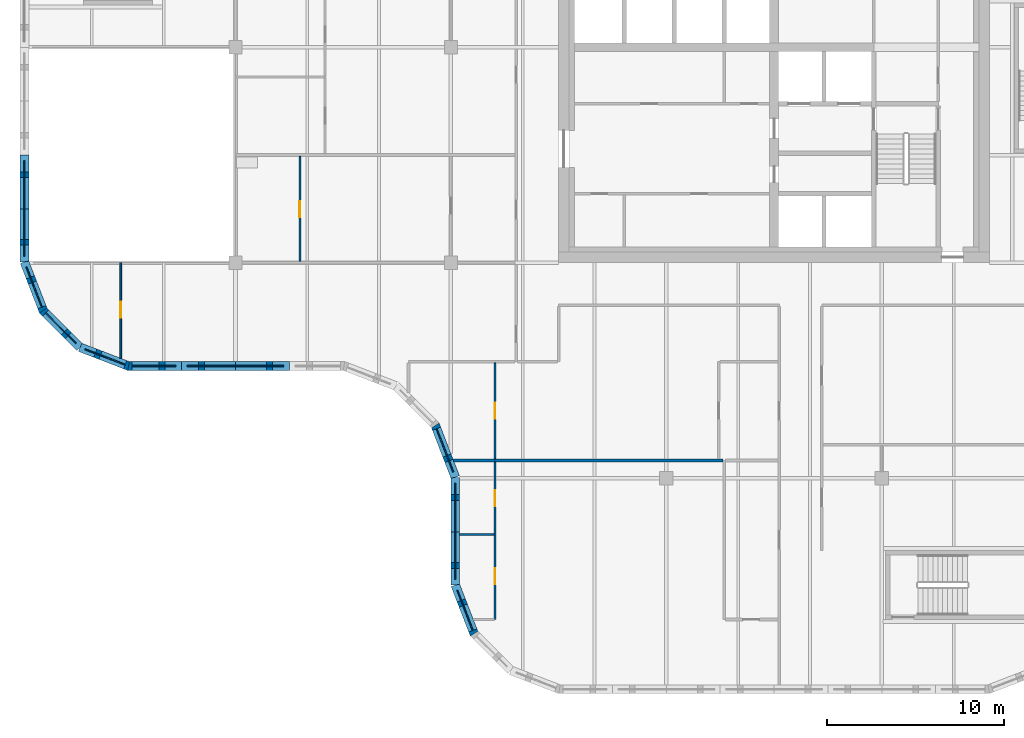
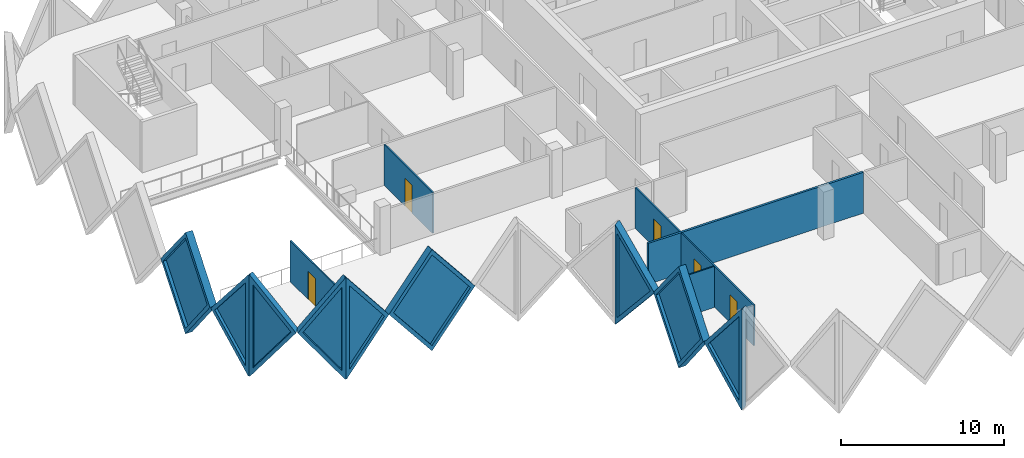
# One storey, part 3 of 12: 15 walls, 9 plates, 5 doors, 14 openings.
"""IFC4 building model written with IfcOpenShell, lengths in metres."""

import ifcopenshell
import ifcopenshell.guid

model = None  # the IFC model being written
_history = None  # IfcOwnerHistory: only IFC2X3 demands one
_inside = {}  # id of a spatial element -> (the spatial element, [elements in it])
_under = {}  # id of a project, library or spatial element -> (it, [spatial elements below it])
_declared = {}  # id of a project -> (the project, [libraries it declares])
_typed = {}  # id of a type object -> (the type object, [elements of that type])
_made_of = {}  # id of a material, layer set ... -> (it, [elements and type objects made of it])


def new_model(schema):
    """Start an empty IFC model of exactly this schema.

    Asked for "IFC4X3", IfcOpenShell would pick the latest addendum, in which some entities
    have other attributes; the version numbers below select the first issue.
    IFC2X3 requires an IfcOwnerHistory on every rooted entity: one is made here for all.
    """
    global model, _history
    if schema == "IFC4X3":
        model = ifcopenshell.file(schema_version=(4, 3, 0, 0))
    else:
        model = ifcopenshell.file(schema=schema)
    _inside.clear()
    _under.clear()
    _declared.clear()
    _typed.clear()
    _made_of.clear()
    _history = None
    if model.schema == "IFC2X3":
        org = make("IfcOrganization", Name="unknown")
        user = make(
            "IfcPersonAndOrganization",
            ThePerson=make("IfcPerson", FamilyName="unknown"),
            TheOrganization=org,
        )
        app = make(
            "IfcApplication",
            ApplicationDeveloper=org,
            Version="unknown",
            ApplicationFullName="unknown",
            ApplicationIdentifier="unknown",
        )
        _history = make(
            "IfcOwnerHistory",
            OwningUser=user,
            OwningApplication=app,
            ChangeAction="ADDED",
            CreationDate=0,
        )
    return model


def make(cls, **values):
    """One entity of the class cls with the attributes given. An attribute that is None is left unset."""
    return model.create_entity(
        cls, **{name: value for name, value in values.items() if value is not None}
    )


def rooted(cls, **values):
    """An entity with a GlobalId (a new one), such as an element, a storey or a relation."""
    return make(cls, GlobalId=ifcopenshell.guid.new(), OwnerHistory=_history, **values)


def si_unit(unit_type, name, prefix=None):
    """IfcSIUnit, for example si_unit("LENGTHUNIT", "METRE", prefix="MILLI")."""
    return make("IfcSIUnit", UnitType=unit_type, Prefix=prefix, Name=name)


def assignment(units):
    """IfcUnitAssignment: the units of a project."""
    return None if units is None else make("IfcUnitAssignment", Units=units)


def point(xyz):
    """IfcCartesianPoint."""
    return None if xyz is None else make("IfcCartesianPoint", Coordinates=xyz)


def direction(xyz):
    """IfcDirection."""
    return None if xyz is None else make("IfcDirection", DirectionRatios=xyz)


def frame(location, z_axis=None, x_axis=None):
    """IfcAxis2Placement3D, a coordinate frame: its origin and axes. An axis left out is left unset."""
    return make(
        "IfcAxis2Placement3D",
        Location=point(location),
        Axis=direction(z_axis),
        RefDirection=direction(x_axis),
    )


def frame_2d(location, x_axis=None):
    """IfcAxis2Placement2D, a coordinate frame in the plane: its origin and x axis."""
    return make(
        "IfcAxis2Placement2D", Location=point(location), RefDirection=direction(x_axis)
    )


def origin():
    """The frame at (0, 0, 0) with its axes left unset."""
    return frame((0.0, 0.0, 0.0))


def place(relative_to, where):
    """IfcLocalPlacement: puts the frame where relative to a parent placement (None: the world)."""
    return make(
        "IfcLocalPlacement", PlacementRelTo=relative_to, RelativePlacement=where
    )


def context(
    kind, dimensions, precision=None, world=None, true_north=None, identifier=None
):
    """IfcGeometricRepresentationContext, for example the 3D "Model" context."""
    return make(
        "IfcGeometricRepresentationContext",
        ContextIdentifier=identifier,
        ContextType=kind,
        CoordinateSpaceDimension=dimensions,
        Precision=precision,
        WorldCoordinateSystem=world,
        TrueNorth=true_north,
    )


def subcontext(parent, identifier, kind, view, scale=None):
    """IfcGeometricRepresentationSubContext, for example "Body" below "Model"."""
    return make(
        "IfcGeometricRepresentationSubContext",
        ContextIdentifier=identifier,
        ContextType=kind,
        ParentContext=parent,
        TargetScale=scale,
        TargetView=view,
    )


def project(units=None, contexts=None):
    """IfcProject with its units and contexts."""
    return rooted(
        "IfcProject",
        Name="project",
        RepresentationContexts=contexts,
        UnitsInContext=assignment(units),
    )


def spatial(cls, under=None, at=None, **own):
    """A site, building, storey or space (cls), placed at a placement, below another one or the project."""
    s = rooted(cls, ObjectPlacement=at, **own)
    if under is not None:
        _under.setdefault(under.id(), (under, []))[1].append(s)
    return s


def polyline(points):
    """IfcPolyline through the points."""
    return make("IfcPolyline", Points=[point(p) for p in points])


def profile(cls, at=None, kind="AREA", **sizes):
    """A parametric profile (cls). Its sizes go by their IFC names, for example OverallWidth=200.0."""
    return make(cls, ProfileType=kind, Position=at, **sizes)


def rectangle(**sizes):
    """IfcRectangleProfileDef."""
    return profile("IfcRectangleProfileDef", **sizes)


def outline(outer, holes=None, kind="AREA"):
    """IfcArbitraryClosedProfileDef: a profile drawn as a closed curve; with holes, ...WithVoids."""
    if holes is None:
        return make("IfcArbitraryClosedProfileDef", ProfileType=kind, OuterCurve=outer)
    return make(
        "IfcArbitraryProfileDefWithVoids",
        ProfileType=kind,
        OuterCurve=outer,
        InnerCurves=holes,
    )


def extrude(swept, where, along, depth):
    """IfcExtrudedAreaSolid: the profile swept, set in the frame where, extruded along a direction by depth."""
    return make(
        "IfcExtrudedAreaSolid",
        SweptArea=swept,
        Position=where,
        ExtrudedDirection=direction(along),
        Depth=depth,
    )


def faces_of(points, faces, orient=None, outer=None):
    """IfcFace entities. A face is a list of loops; a loop is a list of indices into points, from 0.

    orient and outer hold one flag for each loop. By default every Orientation is true, the
    first loop of a face is its IfcFaceOuterBound and the others are IfcFaceBound.
    """
    made = []
    for i, loops in enumerate(faces):
        bounds = []
        for j, loop in enumerate(loops):
            is_outer = j == 0 if outer is None else outer[i][j]
            bounds.append(
                make(
                    "IfcFaceOuterBound" if is_outer else "IfcFaceBound",
                    Bound=make("IfcPolyLoop", Polygon=[points[k] for k in loop]),
                    Orientation=True if orient is None else orient[i][j],
                )
            )
        made.append(make("IfcFace", Bounds=bounds))
    return made


def faceted_brep(points, faces, orient=None, outer=None, voids=None):
    """IfcFacetedBrep: a solid bounded by flat faces; with voids (closed shells), ...WithVoids."""
    shared = [point(p) for p in points]
    hull = make("IfcClosedShell", CfsFaces=faces_of(shared, faces, orient, outer))
    if voids is None:
        return make("IfcFacetedBrep", Outer=hull)
    return make(
        "IfcFacetedBrepWithVoids",
        Outer=hull,
        Voids=[
            make(cls, CfsFaces=faces_of(shared, fs, o, b)) for cls, fs, o, b in voids
        ],
    )


def shape(context_of_items, identifier, shape_type, items):
    """IfcShapeRepresentation: the items that make up one representation, for example the "Body"."""
    return make(
        "IfcShapeRepresentation",
        ContextOfItems=context_of_items,
        RepresentationIdentifier=identifier,
        RepresentationType=shape_type,
        Items=items,
    )


def source(mapping_origin, context_of_items, identifier, shape_type, items):
    """IfcRepresentationMap: a shape defined once, which mapped items show again and again."""
    return make(
        "IfcRepresentationMap",
        MappingOrigin=mapping_origin,
        MappedRepresentation=shape(context_of_items, identifier, shape_type, items),
    )


def transform(
    local_origin,
    x_axis=None,
    y_axis=None,
    z_axis=None,
    scale=None,
    scale2=None,
    scale3=None,
    uniform=True,
):
    """IfcCartesianTransformationOperator3D, or its non-uniform kind. x_axis, y_axis, z_axis: its Axis1, 2, 3."""
    if uniform:
        return make(
            "IfcCartesianTransformationOperator3D",
            Axis1=direction(x_axis),
            Axis2=direction(y_axis),
            LocalOrigin=point(local_origin),
            Scale=scale,
            Axis3=direction(z_axis),
        )
    return make(
        "IfcCartesianTransformationOperator3DnonUniform",
        Axis1=direction(x_axis),
        Axis2=direction(y_axis),
        LocalOrigin=point(local_origin),
        Scale=scale,
        Axis3=direction(z_axis),
        Scale2=scale2,
        Scale3=scale3,
    )


def mapped(mapping_source, mapping_target):
    """IfcMappedItem: shows the shape of a source again, moved by a transform."""
    return make(
        "IfcMappedItem", MappingSource=mapping_source, MappingTarget=mapping_target
    )


def material(Name=None, Category=None):
    """IfcMaterial."""
    return make("IfcMaterial", Name=Name, Category=Category)


def layer(
    of_material, thickness, ventilated=None, Name=None, Category=None, Priority=None
):
    """IfcMaterialLayer: one layer of a wall or slab, of a material (None: an air gap)."""
    return make(
        "IfcMaterialLayer",
        Material=of_material,
        LayerThickness=thickness,
        IsVentilated=ventilated,
        Name=Name,
        Category=Category,
        Priority=Priority,
    )


def layer_set(layers, Name=None):
    """IfcMaterialLayerSet."""
    return make("IfcMaterialLayerSet", MaterialLayers=layers, LayerSetName=Name)


def made_of(thing, what):
    """Note that an element or type object is made of a material, layer set ...; save() writes the relation."""
    if what is not None:
        _made_of.setdefault(what.id(), (what, []))[1].append(thing)
    return thing


def type_object(cls, material=None, **own):
    """A type object (cls), such as IfcWallType, which elements share."""
    return made_of(rooted(cls, **own), material)


def element(
    cls,
    number,
    at=None,
    inside=None,
    cuts=None,
    type_object=None,
    material=None,
    context=None,
    identifier="Body",
    shape_type=None,
    held_by="IfcProductDefinitionShape",
    body=None,
    shapes=None,
    **own,
):
    """One element of the class cls, such as IfcWall. Its Tag is "e" and its number.

    at: its placement. inside: the storey or other place that contains it. cuts: it is an
    opening in that element (IfcRelVoidsElement). A single representation is given by context,
    identifier, shape_type and body (its items); several are given by shapes. held_by: the class
    of the entity that holds the representations. save() writes the other relations.
    """
    e = rooted(cls, Tag="e%d" % number, ObjectPlacement=at, **own)
    if body is not None:
        shapes = [shape(context, identifier, shape_type, body)]
    if shapes is not None:
        e.Representation = make(held_by, Representations=shapes)
    if inside is not None:
        _inside.setdefault(inside.id(), (inside, []))[1].append(e)
    if cuts is not None:
        rooted(
            "IfcRelVoidsElement", RelatingBuildingElement=cuts, RelatedOpeningElement=e
        )
    if type_object is not None:
        _typed.setdefault(type_object.id(), (type_object, []))[1].append(e)
    return made_of(e, material)


def fill(opening, filler):
    """IfcRelFillsElement: the door or window that sits in an opening."""
    return rooted(
        "IfcRelFillsElement",
        RelatingOpeningElement=opening,
        RelatedBuildingElement=filler,
    )


def aggregate(whole, parts):
    """IfcRelAggregates: a whole, such as a stair, and the parts it consists of."""
    return rooted("IfcRelAggregates", RelatingObject=whole, RelatedObjects=parts)


def save(model, path):
    """Write the relations noted so far, then the file.

    IfcRelAggregates (storeys below a building ...), IfcRelContainedInSpatialStructure (elements
    in a storey), IfcRelDefinesByType, IfcRelAssociatesMaterial and IfcRelDeclares: one each for
    every whole, place, type object, material and project.
    """
    for whole, parts in _under.values():
        aggregate(whole, parts)
    for where, things in _inside.values():
        rooted(
            "IfcRelContainedInSpatialStructure",
            RelatedElements=things,
            RelatingStructure=where,
        )
    for kind, things in _typed.values():
        rooted("IfcRelDefinesByType", RelatedObjects=things, RelatingType=kind)
    for what, things in _made_of.values():
        rooted("IfcRelAssociatesMaterial", RelatedObjects=things, RelatingMaterial=what)
    for by, libraries in _declared.values():
        rooted("IfcRelDeclares", RelatingContext=by, RelatedDefinitions=libraries)
    model.write(path)


model = new_model("IFC4")

# Units and contexts
model_context = context("Model", 3, precision=1e-05, world=origin(), true_north=direction((0.0, 1.0)))
body_context = subcontext(model_context, "Body", "Model", "MODEL_VIEW")
ifc_project = project(units=[si_unit("LENGTHUNIT", "METRE"), si_unit("AREAUNIT", "SQUARE_METRE"), si_unit("VOLUMEUNIT", "CUBIC_METRE"), si_unit("PLANEANGLEUNIT", "RADIAN"), si_unit("MASSUNIT", "GRAM", prefix="KILO")], contexts=[model_context])

# Site, building, storey
site_placement = place(None, origin())
site = spatial("IfcSite", under=ifc_project, at=site_placement, CompositionType="ELEMENT")
building_placement = place(site_placement, origin())
building = spatial("IfcBuilding", under=site, at=building_placement, Name="Tessera Gate Towers", CompositionType="ELEMENT")
storey_placement = place(building_placement, frame((0.0, 0.0, 163.0)))
storey = spatial("IfcBuildingStorey", under=building, at=storey_placement, Name="L40", CompositionType="ELEMENT", Elevation=163.0)

# Wall, opening, door
ifc_material_1 = material(Name="Glass", Category="glass")
ifc_layer_1 = layer(ifc_material_1, 0.10009765625)
ifc_layer_set_1 = layer_set([ifc_layer_1], Name="GLAZED PARTITION 100")
wall_type_1 = type_object("IfcWallType", Name="GLAZED PARTITION 100", PredefinedType="PARTITIONING", material=ifc_layer_set_1)
wall_1_placement = place(storey_placement, frame((5.699951171875, 18.990234375, 0.0), z_axis=(0.0, 0.0, 1.0), x_axis=(0.0, 1.0, 0.0)))
wall_1 = element("IfcWall", 1, at=wall_1_placement, inside=storey, type_object=wall_type_1, Name="T1-L40-PW-021", PredefinedType="PARTITIONING", context=body_context, shape_type="SweptSolid", body=[
    extrude(rectangle(XDim=5.40966796875, YDim=0.10009765625, at=frame_2d((2.704833984375, 0.0))), origin(), (0.0, 0.0, 1.0), 3.06689453125),
])
shared_shape_1 = source(origin(), body_context, "Body", "SweptSolid", [
    extrude(rectangle(XDim=0.89990234375, YDim=2.10009765625, at=frame_2d((0.449951171875, 1.050048828125))), frame((0.0, 0.06005859375, 0.0), z_axis=(0.0, -1.0, 0.0), x_axis=(1.0, 0.0, 0.0)), (0.0, 0.0, 1.0), 0.1201171875),
])
opening_1_placement = place(wall_1_placement, frame((2.300048828125, 0.0, 0.0)))
opening_1 = element("IfcOpeningElement", 2, at=opening_1_placement, cuts=wall_1, Name="Opening D690-A14-01", PredefinedType="OPENING", context=body_context, shape_type="MappedRepresentation", body=[
    mapped(shared_shape_1, transform((0.0, 0.0, 0.0), scale=1.0)),
])
ifc_material_2 = material(Name="Glass in aluminium frame", Category="aluminium")
door_type_1 = type_object("IfcDoorType", Name="GLAZED DOOR 900 NOT RATED", OperationType="NOTDEFINED", PredefinedType="DOOR", material=ifc_material_2)
shared_shape_2 = source(origin(), body_context, "Body", "SweptSolid", [
    extrude(rectangle(XDim=0.89990234375, YDim=2.10009765625, at=frame_2d((0.449951171875, 1.050048828125))), frame((0.0, 0.02490234375, 0.0), z_axis=(0.0, -1.0, 0.0), x_axis=(1.0, 0.0, 0.0)), (0.0, 0.0, 1.0), 0.050048828125),
])
door_1_placement = place(opening_1_placement, origin())
door_1 = element("IfcDoor", 3, at=door_1_placement, inside=storey, type_object=door_type_1, Name="T1-L40-PD-006", OperationType="SINGLE_SWING_LEFT", OverallHeight=2.10009765625, OverallWidth=0.89990234375, PredefinedType="DOOR", context=body_context, shape_type="MappedRepresentation", body=[
    mapped(shared_shape_2, transform((0.0, 0.0, 0.0), scale=1.0)),
])
fill(opening_1, door_1)

# Wall, openings, doors
ifc_material_3 = material(Name="Gypsum board on steel studs", Category="steel")
ifc_layer_2 = layer(ifc_material_3, 0.10009765625)
ifc_layer_set_2 = layer_set([ifc_layer_2], Name="PARTITION 100")
wall_type_2 = type_object("IfcWallType", Name="PARTITION 100", PredefinedType="PARTITIONING", material=ifc_layer_set_2)
wall_2_placement = place(storey_placement, frame((26.89990234375, 4.199951171875, 0.0), z_axis=(0.0, 0.0, 1.0), x_axis=(0.0, 1.0, 0.0)))
wall_2 = element("IfcWall", 4, at=wall_2_placement, inside=storey, type_object=wall_type_2, Name="T1-L40-PW-004", PredefinedType="PARTITIONING", context=body_context, shape_type="SweptSolid", body=[
    extrude(rectangle(XDim=8.924072265625, YDim=0.10009765625, at=frame_2d((4.4619140625, 0.0))), origin(), (0.0, 0.0, 1.0), 3.06689453125),
])
opening_2_placement = place(wall_2_placement, frame((6.416015625, 0.0, 0.0)))
opening_2 = element("IfcOpeningElement", 5, at=opening_2_placement, cuts=wall_2, Name="Opening D190-A14-01", PredefinedType="OPENING", context=body_context, shape_type="MappedRepresentation", body=[
    mapped(shared_shape_1, transform((0.0, 0.0, 0.0), scale=1.0)),
])
opening_3_placement = place(wall_2_placement, frame((2.0, 0.0, 0.0)))
opening_3 = element("IfcOpeningElement", 6, at=opening_3_placement, cuts=wall_2, Name="Opening D190-A14-09", PredefinedType="OPENING", context=body_context, shape_type="MappedRepresentation", body=[
    mapped(shared_shape_1, transform((0.0, 0.0, 0.0), scale=1.0)),
])
ifc_material_4 = material(Name="Timber door leaf in steel frame", Category="steel")
door_type_2 = type_object("IfcDoorType", Name="INTERNAL DOOR 900 NOT RATED", OperationType="NOTDEFINED", PredefinedType="DOOR", material=ifc_material_4)
door_2_placement = place(opening_2_placement, origin())
door_2 = element("IfcDoor", 7, at=door_2_placement, inside=storey, type_object=door_type_2, Name="T1-L40-PD-002", OperationType="SINGLE_SWING_LEFT", OverallHeight=2.10009765625, OverallWidth=0.89990234375, PredefinedType="DOOR", context=body_context, shape_type="MappedRepresentation", body=[
    mapped(shared_shape_2, transform((0.0, 0.0, 0.0), scale=1.0)),
])
fill(opening_2, door_2)
door_3_placement = place(opening_3_placement, origin())
door_3 = element("IfcDoor", 8, at=door_3_placement, inside=storey, type_object=door_type_2, Name="T1-L40-PD-014", OperationType="SINGLE_SWING_LEFT", OverallHeight=2.10009765625, OverallWidth=0.89990234375, PredefinedType="DOOR", context=body_context, shape_type="MappedRepresentation", body=[
    mapped(shared_shape_2, transform((0.0, 0.0, 0.0), scale=1.0)),
])
fill(opening_3, door_3)

# Wall
wall_3_placement = place(storey_placement, frame((24.89990234375, 9.014892578125, 0.0), z_axis=(0.0, 0.0, 1.0), x_axis=(1.0, 0.0, 0.0)))
element("IfcWall", 9, at=wall_3_placement, inside=storey, type_object=wall_type_2, Name="T1-L40-PW-008", PredefinedType="PARTITIONING", context=body_context, shape_type="SweptSolid", body=[
    extrude(rectangle(XDim=1.94921875, YDim=0.10009765625, at=frame_2d((0.974609375, 0.0))), origin(), (0.0, 0.0, 1.0), 3.06689453125),
])

# Wall, opening, door
wall_4_placement = place(storey_placement, frame((26.89990234375, 13.27587890625, 0.0), z_axis=(0.0, 0.0, 1.0), x_axis=(0.0, 1.0, 0.0)))
wall_4 = element("IfcWall", 10, at=wall_4_placement, inside=storey, type_object=wall_type_2, Name="T1-L40-PW-012", PredefinedType="PARTITIONING", context=body_context, shape_type="SweptSolid", body=[
    extrude(rectangle(XDim=5.4482421875, YDim=0.10009765625, at=frame_2d((2.72412109375, 0.0))), origin(), (0.0, 0.0, 1.0), 3.06689453125),
])
opening_4_placement = place(wall_4_placement, frame((2.300048828125, 0.0, 0.0)))
opening_4 = element("IfcOpeningElement", 11, at=opening_4_placement, cuts=wall_4, Name="Opening D190-A14-04", PredefinedType="OPENING", context=body_context, shape_type="MappedRepresentation", body=[
    mapped(shared_shape_1, transform((0.0, 0.0, 0.0), scale=1.0)),
])
door_4_placement = place(opening_4_placement, origin())
door_4 = element("IfcDoor", 12, at=door_4_placement, inside=storey, type_object=door_type_2, Name="T1-L40-PD-007", OperationType="SINGLE_SWING_LEFT", OverallHeight=2.10009765625, OverallWidth=0.89990234375, PredefinedType="DOOR", context=body_context, shape_type="MappedRepresentation", body=[
    mapped(shared_shape_2, transform((0.0, 0.0, 0.0), scale=1.0)),
])
fill(opening_4, door_4)

wall_5_placement = place(storey_placement, frame((15.85009765625, 24.47607421875, 0.0), z_axis=(0.0, 0.0, 1.0), x_axis=(0.0, 1.0, 0.0)))
wall_5 = element("IfcWall", 13, at=wall_5_placement, inside=storey, type_object=wall_type_2, Name="T1-L40-PW-028", PredefinedType="PARTITIONING", context=body_context, shape_type="SweptSolid", body=[
    extrude(rectangle(XDim=5.947998046875, YDim=0.10009765625, at=frame_2d((2.97412109375, 0.0))), origin(), (0.0, 0.0, 1.0), 3.06689453125),
])
opening_5_placement = place(wall_5_placement, frame((2.5, 0.0, 0.0)))
opening_5 = element("IfcOpeningElement", 14, at=opening_5_placement, cuts=wall_5, Name="Opening D190-A14-08", PredefinedType="OPENING", context=body_context, shape_type="MappedRepresentation", body=[
    mapped(shared_shape_1, transform((0.0, 0.0, 0.0), scale=1.0)),
])
door_5_placement = place(opening_5_placement, origin())
door_5 = element("IfcDoor", 15, at=door_5_placement, inside=storey, type_object=door_type_2, Name="T1-L40-PD-013", OperationType="SINGLE_SWING_LEFT", OverallHeight=2.10009765625, OverallWidth=0.89990234375, PredefinedType="DOOR", context=body_context, shape_type="MappedRepresentation", body=[
    mapped(shared_shape_2, transform((0.0, 0.0, 0.0), scale=1.0)),
])
fill(opening_5, door_5)

# Wall
ifc_material_5 = material(Name="Gypsum board on steel studs, mineral wool", Category="steel")
ifc_layer_3 = layer(ifc_material_5, 0.14990234375)
ifc_layer_set_3 = layer_set([ifc_layer_3], Name="TENANCY WALL 150")
wall_type_3 = type_object("IfcWallType", Name="TENANCY WALL 150", PredefinedType="PARTITIONING", material=ifc_layer_set_3)
wall_6_placement = place(storey_placement, frame((24.55029296875, 13.199951171875, 0.0), z_axis=(0.0, 0.0, 1.0), x_axis=(1.0, 0.0, 0.0)))
element("IfcWall", 16, at=wall_6_placement, inside=storey, type_object=wall_type_3, Name="T1-L40-PW-010", PredefinedType="PARTITIONING", context=body_context, shape_type="SweptSolid", body=[
    extrude(rectangle(XDim=15.248779296875, YDim=0.14990234375, at=frame_2d((7.62451171875, 0.0))), origin(), (0.0, 0.0, 1.0), 3.06689453125),
])

# Wall, opening, plate
ifc_material_6 = material(Name="Precast concrete C60/75 white", Category="concrete")
ifc_layer_4 = layer(ifc_material_6, 0.5)
ifc_layer_set_4 = layer_set([ifc_layer_4], Name="TS1 tessera")
wall_type_4 = type_object("IfcWallType", Name="TS1 tessera", PredefinedType="SOLIDWALL", material=ifc_layer_set_4)
shared_shape_3 = source(origin(), body_context, "Body", "SweptSolid", [
    extrude(outline(polyline([(3.050048828125, 0.0), (6.10009765625, 3.800048828125), (3.050048828125, 7.60009765625), (0.0, 3.800048828125), (3.050048828125, 0.0)])), frame((0.0, 0.25, 0.0), z_axis=(0.0, -1.0, 0.0), x_axis=(1.0, 0.0, 0.0)), (0.0, 0.0, 1.0), 0.5),
])
wall_7_placement = place(storey_placement, frame((9.14990234375, 18.550048828125, -3.800048828125), z_axis=(0.0, 0.0, 1.0), x_axis=(1.0, 0.0, 0.0)))
wall_7 = element("IfcWall", 17, at=wall_7_placement, inside=storey, type_object=wall_type_4, Name="Precast tessera T1 TS1-0688", PredefinedType="SOLIDWALL", context=body_context, shape_type="MappedRepresentation", body=[
    mapped(shared_shape_3, transform((0.0, 0.0, 0.0), scale=1.0)),
])
shared_shape_4 = source(origin(), body_context, "Body", "SweptSolid", [
    extrude(outline(polyline([(3.050048828125, 0.3994140625), (5.779541015625, 3.800048828125), (3.050048828125, 7.20068359375), (0.320556640625, 3.800048828125), (3.050048828125, 0.3994140625)])), frame((0.0, 0.260009765625, 0.0), z_axis=(0.0, -1.0, 0.0), x_axis=(1.0, 0.0, 0.0)), (0.0, 0.0, 1.0), 0.52001953125),
])
opening_6_placement = place(wall_7_placement, origin())
opening_6 = element("IfcOpeningElement", 18, at=opening_6_placement, cuts=wall_7, Name="Opening T1-PL2-1402", PredefinedType="OPENING", context=body_context, shape_type="MappedRepresentation", body=[
    mapped(shared_shape_4, transform((0.0, 0.0, 0.0), scale=1.0)),
])
ifc_material_7 = material(Name="Low-e laminated glass", Category="glass")
ifc_layer_5 = layer(ifc_material_7, 0.06005859375)
ifc_layer_set_5 = layer_set([ifc_layer_5], Name="PL2 rhombic pane")
plate_type = type_object("IfcPlateType", Name="PL2 rhombic pane", PredefinedType="SHEET", material=ifc_layer_set_5)
shared_shape_5 = source(origin(), body_context, "Body", "SweptSolid", [
    extrude(outline(polyline([(3.050048828125, 0.3994140625), (5.779541015625, 3.800048828125), (3.050048828125, 7.20068359375), (0.320556640625, 3.800048828125), (3.050048828125, 0.3994140625)])), frame((0.0, 0.030029296875, 0.0), z_axis=(0.0, -1.0, 0.0), x_axis=(1.0, 0.0, 0.0)), (0.0, 0.0, 1.0), 0.06005859375),
])
plate_1_placement = place(opening_6_placement, origin())
plate_1 = element("IfcPlate", 19, at=plate_1_placement, inside=storey, type_object=plate_type, Name="Glass pane T1 PL2-1402", PredefinedType="SHEET", context=body_context, shape_type="MappedRepresentation", body=[
    mapped(shared_shape_5, transform((0.0, 0.0, 0.0), scale=1.0)),
])
fill(opening_6, plate_1)

shared_shape_6 = source(origin(), body_context, "Body", "Brep", [
    faceted_brep([(3.050048828125, -0.25, 0.0), (6.053466796875, -0.25, 3.800048828125), (3.050048828125, -0.25, 7.60009765625), (0.0, -0.25, 3.800048828125), (0.0, 0.25, 3.800048828125), (3.050048828125, 0.25, 7.60009765625), (6.0068359375, 0.25, 3.85888671875), (6.0068359375, 0.25, 3.7412109375), (3.050048828125, 0.25, 0.0), (6.053466796875, 0.0, 3.800048828125)], [[[0, 1, 2, 3]], [[4, 5, 6, 7, 8]], [[8, 7, 9, 1, 0]], [[6, 5, 2, 1, 9]], [[5, 4, 3, 2]], [[4, 8, 0, 3]], [[9, 7, 6]]]),
])
wall_8_placement = place(storey_placement, frame((0.25, 30.5, -3.800048828125), z_axis=(0.0, 0.0, 1.0), x_axis=(0.0, -1.0, 0.0)))
wall_8 = element("IfcWall", 20, at=wall_8_placement, inside=storey, type_object=wall_type_4, Name="Precast tessera T1 TS1-0687", PredefinedType="SOLIDWALL", context=body_context, shape_type="MappedRepresentation", body=[
    mapped(shared_shape_6, transform((0.0, 0.0, 0.0), scale=1.0)),
])
shared_shape_7 = source(origin(), body_context, "Body", "SweptSolid", [
    extrude(outline(polyline([(3.048583984375, 0.4013671875), (5.73486328125, 3.800048828125), (3.048583984375, 7.19873046875), (0.320556640625, 3.800048828125), (3.048583984375, 0.4013671875)])), frame((0.0, 0.260009765625, 0.0), z_axis=(0.0, -1.0, 0.0), x_axis=(1.0, 0.0, 0.0)), (0.0, 0.0, 1.0), 0.52001953125),
])
opening_7_placement = place(wall_8_placement, origin())
opening_7 = element("IfcOpeningElement", 21, at=opening_7_placement, cuts=wall_8, Name="Opening T1-PL2-1397", PredefinedType="OPENING", context=body_context, shape_type="MappedRepresentation", body=[
    mapped(shared_shape_7, transform((0.0, 0.0, 0.0), scale=1.0)),
])
shared_shape_8 = source(origin(), body_context, "Body", "SweptSolid", [
    extrude(outline(polyline([(3.048583984375, 0.4013671875), (5.73486328125, 3.800048828125), (3.048583984375, 7.19873046875), (0.320556640625, 3.800048828125), (3.048583984375, 0.4013671875)])), frame((0.0, 0.030029296875, 0.0), z_axis=(0.0, -1.0, 0.0), x_axis=(1.0, 0.0, 0.0)), (0.0, 0.0, 1.0), 0.06005859375),
])
plate_2_placement = place(opening_7_placement, origin())
plate_2 = element("IfcPlate", 22, at=plate_2_placement, inside=storey, type_object=plate_type, Name="Glass pane T1 PL2-1397", PredefinedType="SHEET", context=body_context, shape_type="MappedRepresentation", body=[
    mapped(shared_shape_8, transform((0.0, 0.0, 0.0), scale=1.0)),
])
fill(opening_7, plate_2)

ifc_material_8 = material(Name="Precast concrete C60/75 white", Category="concrete")
ifc_layer_6 = layer(ifc_material_8, 0.5)
ifc_layer_set_6 = layer_set([ifc_layer_6], Name="TS3 corner tessera")
wall_type_5 = type_object("IfcWallType", Name="TS3 corner tessera", PredefinedType="SOLIDWALL", material=ifc_layer_set_6)
shared_shape_9 = source(origin(), body_context, "Body", "Brep", [
    faceted_brep([(2.950439453125, -0.25, 0.0), (3.00341796875, -0.25, 0.068359375), (3.00341796875, -0.25, 7.53173828125), (2.950439453125, -0.25, 7.60009765625), (0.0, -0.25, 3.800048828125), (0.046630859375, 0.25, 3.860107421875), (2.897705078125, 0.25, 7.531982421875), (2.897705078125, 0.25, 0.068115234375), (0.046630859375, 0.25, 3.739990234375), (2.950439453125, 0.00048828125, 0.0), (2.950439453125, 0.00048828125, 7.60009765625), (0.0, 0.0, 3.800048828125)], [[[0, 1, 2, 3, 4]], [[5, 6, 7, 8]], [[1, 0, 9]], [[10, 3, 2]], [[6, 5, 11, 4, 3, 10]], [[8, 7, 9, 0, 4, 11]], [[8, 11, 5]], [[1, 9, 7, 6, 10, 2]]]),
])
wall_9_placement = place(storey_placement, frame((24.64990234375, 6.146484375, -3.800048828125), z_axis=(0.0, 0.0, 1.0), x_axis=(0.359953949349, -0.932970071518, 0.0)))
wall_9 = element("IfcWall", 23, at=wall_9_placement, inside=storey, type_object=wall_type_5, Name="Precast corner tessera T1 TS3-0935", PredefinedType="SOLIDWALL", context=body_context, shape_type="MappedRepresentation", body=[
    mapped(shared_shape_9, transform((0.0, 0.0, 0.0), scale=1.0)),
])
shared_shape_10 = source(origin(), body_context, "Body", "SweptSolid", [
    extrude(outline(polyline([(2.75048828125, 6.934814453125), (0.31640625, 3.800048828125), (2.75048828125, 0.665283203125), (2.75048828125, 6.934814453125)])), frame((0.0, 0.260009765625, 0.0), z_axis=(0.0, -1.0, 0.0), x_axis=(1.0, 0.0, 0.0)), (0.0, 0.0, 1.0), 0.52001953125),
])
opening_8_placement = place(wall_9_placement, origin())
opening_8 = element("IfcOpeningElement", 24, at=opening_8_placement, cuts=wall_9, Name="Opening T1-PL2-1408", PredefinedType="OPENING", context=body_context, shape_type="MappedRepresentation", body=[
    mapped(shared_shape_10, transform((0.0, 0.0, 0.0), scale=1.0)),
])
shared_shape_11 = source(origin(), body_context, "Body", "SweptSolid", [
    extrude(outline(polyline([(2.75048828125, 6.934814453125), (0.31640625, 3.800048828125), (2.75048828125, 0.665283203125), (2.75048828125, 6.934814453125)])), frame((0.0, 0.030029296875, 0.0), z_axis=(0.0, -1.0, 0.0), x_axis=(1.0, 0.0, 0.0)), (0.0, 0.0, 1.0), 0.06005859375),
])
plate_3_placement = place(opening_8_placement, origin())
plate_3 = element("IfcPlate", 25, at=plate_3_placement, inside=storey, type_object=plate_type, Name="Glass pane T1 PL2-1408", PredefinedType="SHEET", context=body_context, shape_type="MappedRepresentation", body=[
    mapped(shared_shape_11, transform((0.0, 0.0, 0.0), scale=1.0)),
])
fill(opening_8, plate_3)

shared_shape_12 = source(origin(), body_context, "Body", "Brep", [
    faceted_brep([(0.052978515625, -0.25, 0.0), (2.9970703125, -0.25, 3.800048828125), (0.052978515625, -0.25, 7.60009765625), (0.0, -0.25, 7.531982421875), (0.0, -0.25, 0.068115234375), (0.10595703125, 0.25, 7.53173828125), (2.944091796875, 0.25, 3.8681640625), (2.944091796875, 0.25, 3.73193359375), (0.10595703125, 0.25, 0.068359375), (2.9970703125, 0.000244140625, 3.800048828125), (0.052978515625, 0.0, 0.0), (0.052978515625, 0.0, 7.60009765625)], [[[0, 1, 2, 3, 4]], [[5, 6, 7, 8]], [[8, 7, 9, 1, 0, 10]], [[6, 5, 11, 2, 1, 9]], [[3, 2, 11]], [[10, 0, 4]], [[8, 10, 4, 3, 11, 5]], [[9, 7, 6]]]),
])
wall_10_placement = place(storey_placement, frame((1.2744140625, 21.731201171875, -3.800048828125), z_axis=(0.0, 0.0, 1.0), x_axis=(0.707147509625, -0.707066050402, 0.0)))
wall_10 = element("IfcWall", 26, at=wall_10_placement, inside=storey, type_object=wall_type_5, Name="Precast corner tessera T1 TS3-0928", PredefinedType="SOLIDWALL", context=body_context, shape_type="MappedRepresentation", body=[
    mapped(shared_shape_12, transform((0.0, 0.0, 0.0), scale=1.0)),
])
shared_shape_13 = source(origin(), body_context, "Body", "SweptSolid", [
    extrude(outline(polyline([(0.2529296875, 0.666259765625), (2.680908203125, 3.800048828125), (0.2529296875, 6.933837890625), (0.2529296875, 0.666259765625)])), frame((0.0, 0.260009765625, 0.0), z_axis=(0.0, -1.0, 0.0), x_axis=(1.0, 0.0, 0.0)), (0.0, 0.0, 1.0), 0.52001953125),
])
opening_9_placement = place(wall_10_placement, origin())
opening_9 = element("IfcOpeningElement", 27, at=opening_9_placement, cuts=wall_10, Name="Opening T1-PL2-1399", PredefinedType="OPENING", context=body_context, shape_type="MappedRepresentation", body=[
    mapped(shared_shape_13, transform((0.0, 0.0, 0.0), scale=1.0)),
])
shared_shape_14 = source(origin(), body_context, "Body", "SweptSolid", [
    extrude(outline(polyline([(0.2529296875, 0.666259765625), (2.680908203125, 3.800048828125), (0.2529296875, 6.933837890625), (0.2529296875, 0.666259765625)])), frame((0.0, 0.030029296875, 0.0), z_axis=(0.0, -1.0, 0.0), x_axis=(1.0, 0.0, 0.0)), (0.0, 0.0, 1.0), 0.06005859375),
])
plate_4_placement = place(opening_9_placement, origin())
plate_4 = element("IfcPlate", 28, at=plate_4_placement, inside=storey, type_object=plate_type, Name="Glass pane T1 PL2-1399", PredefinedType="SHEET", context=body_context, shape_type="MappedRepresentation", body=[
    mapped(shared_shape_14, transform((0.0, 0.0, 0.0), scale=1.0)),
])
fill(opening_9, plate_4)

shared_shape_15 = source(origin(), body_context, "Body", "Brep", [
    faceted_brep([(2.950439453125, -0.25, 0.0), (2.9970703125, -0.25, 0.05908203125), (2.9970703125, -0.25, 7.541015625), (2.950439453125, -0.25, 7.60009765625), (0.0, -0.25, 3.800048828125), (0.052978515625, 0.25, 3.8681640625), (2.904052734375, 0.25, 7.540283203125), (2.904052734375, 0.25, 0.059814453125), (0.052978515625, 0.25, 3.73193359375), (2.950439453125, 0.00048828125, 0.0), (2.950439453125, 0.00048828125, 7.60009765625), (0.0, 0.0, 3.800048828125)], [[[0, 1, 2, 3, 4]], [[5, 6, 7, 8]], [[1, 0, 9]], [[10, 3, 2]], [[6, 5, 11, 4, 3, 10]], [[8, 7, 9, 0, 4, 11]], [[8, 11, 5]], [[1, 9, 7, 6, 10, 2]]]),
])
wall_11_placement = place(storey_placement, frame((3.393798828125, 19.61181640625, -3.800048828125), z_axis=(0.0, 0.0, 1.0), x_axis=(0.932990326376, -0.359901446078, 0.0)))
wall_11 = element("IfcWall", 29, at=wall_11_placement, inside=storey, type_object=wall_type_5, Name="Precast corner tessera T1 TS3-0929", PredefinedType="SOLIDWALL", context=body_context, shape_type="MappedRepresentation", body=[
    mapped(shared_shape_15, transform((0.0, 0.0, 0.0), scale=1.0)),
])
opening_10_placement = place(wall_11_placement, origin())
opening_10 = element("IfcOpeningElement", 30, at=opening_10_placement, cuts=wall_11, Name="Opening T1-PL2-1400", PredefinedType="OPENING", context=body_context, shape_type="MappedRepresentation", body=[
    mapped(shared_shape_10, transform((0.0, 0.0, 0.0), scale=1.0)),
])
plate_5_placement = place(opening_10_placement, origin())
plate_5 = element("IfcPlate", 31, at=plate_5_placement, inside=storey, type_object=plate_type, Name="Glass pane T1 PL2-1400", PredefinedType="SHEET", context=body_context, shape_type="MappedRepresentation", body=[
    mapped(shared_shape_11, transform((0.0, 0.0, 0.0), scale=1.0)),
])
fill(opening_10, plate_5)

shared_shape_16 = source(origin(), body_context, "Body", "Brep", [
    faceted_brep([(0.046630859375, -0.25, 0.0), (3.050048828125, -0.25, 3.800048828125), (0.046630859375, -0.25, 7.60009765625), (0.0, -0.25, 7.5400390625), (0.0, -0.25, 0.06005859375), (0.09326171875, 0.25, 7.541259765625), (3.050048828125, 0.25, 3.800048828125), (0.09326171875, 0.25, 0.058837890625), (0.046630859375, 0.0, 0.0), (0.046630859375, 0.0, 7.60009765625)], [[[0, 1, 2, 3, 4]], [[5, 6, 7]], [[7, 6, 1, 0, 8]], [[6, 5, 9, 2, 1]], [[3, 2, 9]], [[8, 0, 4]], [[7, 8, 4, 3, 9, 5]]]),
])
wall_12_placement = place(storey_placement, frame((6.099853515625, 18.550048828125, -3.800048828125), z_axis=(0.0, 0.0, 1.0), x_axis=(1.0, 0.0, 0.0)))
wall_12 = element("IfcWall", 32, at=wall_12_placement, inside=storey, type_object=wall_type_5, Name="Precast corner tessera T1 TS3-0930", PredefinedType="SOLIDWALL", context=body_context, shape_type="MappedRepresentation", body=[
    mapped(shared_shape_16, transform((0.0, 0.0, 0.0), scale=1.0)),
])
shared_shape_17 = source(origin(), body_context, "Body", "SweptSolid", [
    extrude(outline(polyline([(0.24658203125, 0.65625), (2.7314453125, 3.800048828125), (0.24658203125, 6.94384765625), (0.24658203125, 0.65625)])), frame((0.0, 0.260009765625, 0.0), z_axis=(0.0, -1.0, 0.0), x_axis=(1.0, 0.0, 0.0)), (0.0, 0.0, 1.0), 0.52001953125),
])
opening_11_placement = place(wall_12_placement, origin())
opening_11 = element("IfcOpeningElement", 33, at=opening_11_placement, cuts=wall_12, Name="Opening T1-PL2-1401", PredefinedType="OPENING", context=body_context, shape_type="MappedRepresentation", body=[
    mapped(shared_shape_17, transform((0.0, 0.0, 0.0), scale=1.0)),
])
shared_shape_18 = source(origin(), body_context, "Body", "SweptSolid", [
    extrude(outline(polyline([(0.24658203125, 0.65625), (2.7314453125, 3.800048828125), (0.24658203125, 6.94384765625), (0.24658203125, 0.65625)])), frame((0.0, 0.030029296875, 0.0), z_axis=(0.0, -1.0, 0.0), x_axis=(1.0, 0.0, 0.0)), (0.0, 0.0, 1.0), 0.06005859375),
])
plate_6_placement = place(opening_11_placement, origin())
plate_6 = element("IfcPlate", 34, at=plate_6_placement, inside=storey, type_object=plate_type, Name="Glass pane T1 PL2-1401", PredefinedType="SHEET", context=body_context, shape_type="MappedRepresentation", body=[
    mapped(shared_shape_18, transform((0.0, 0.0, 0.0), scale=1.0)),
])
fill(opening_11, plate_6)

shared_shape_19 = source(origin(), body_context, "Body", "Brep", [
    faceted_brep([(2.950439453125, -0.25, 0.0), (3.00341796875, -0.25, 0.068359375), (3.00341796875, -0.25, 7.53173828125), (2.950439453125, -0.25, 7.60009765625), (0.0, -0.25, 3.800048828125), (0.046630859375, 0.25, 3.860107421875), (2.897705078125, 0.25, 7.531982421875), (2.897705078125, 0.25, 0.068115234375), (0.046630859375, 0.25, 3.739990234375), (2.950439453125, 0.00048828125, 0.0), (2.950439453125, 0.00048828125, 7.60009765625), (0.0, 0.0, 3.800048828125)], [[[0, 1, 2, 3, 4]], [[5, 6, 7, 8]], [[1, 0, 9]], [[10, 3, 2]], [[6, 5, 11, 4, 3, 10]], [[8, 7, 9, 0, 4, 11]], [[8, 11, 5]], [[1, 9, 7, 6, 10, 2]]]),
])
wall_13_placement = place(storey_placement, frame((0.25, 24.446533203125, -3.800048828125), z_axis=(0.0, 0.0, 1.0), x_axis=(0.35992665181, -0.932980602862, 0.0)))
wall_13 = element("IfcWall", 35, at=wall_13_placement, inside=storey, type_object=wall_type_5, Name="Precast corner tessera T1 TS3-0927", PredefinedType="SOLIDWALL", context=body_context, shape_type="MappedRepresentation", body=[
    mapped(shared_shape_19, transform((0.0, 0.0, 0.0), scale=1.0)),
])
opening_12_placement = place(wall_13_placement, origin())
opening_12 = element("IfcOpeningElement", 36, at=opening_12_placement, cuts=wall_13, Name="Opening T1-PL2-1398", PredefinedType="OPENING", context=body_context, shape_type="MappedRepresentation", body=[
    mapped(shared_shape_10, transform((0.0, 0.0, 0.0), scale=1.0)),
])
plate_7_placement = place(opening_12_placement, origin())
plate_7 = element("IfcPlate", 37, at=plate_7_placement, inside=storey, type_object=plate_type, Name="Glass pane T1 PL2-1398", PredefinedType="SHEET", context=body_context, shape_type="MappedRepresentation", body=[
    mapped(shared_shape_11, transform((0.0, 0.0, 0.0), scale=1.0)),
])
fill(opening_12, plate_7)

shared_shape_20 = source(origin(), body_context, "Body", "Brep", [
    faceted_brep([(0.10595703125, -0.25, 0.06396484375), (3.156005859375, -0.25, 3.743896484375), (3.156005859375, -0.25, 3.856201171875), (0.10595703125, -0.25, 7.5361328125), (0.0, 0.25, 7.536376953125), (0.052978515625, 0.25, 7.60009765625), (3.202392578125, 0.25, 3.800048828125), (0.052978515625, 0.25, 0.0), (0.0, 0.25, 0.063720703125), (3.202392578125, -0.000244140625, 3.800048828125), (0.052978515625, 0.0, 0.0), (0.052978515625, 0.0, 7.60009765625)], [[[0, 1, 2, 3]], [[4, 5, 6, 7, 8]], [[7, 6, 9, 1, 0, 10]], [[6, 5, 11, 3, 2, 9]], [[5, 4, 11]], [[8, 7, 10]], [[8, 10, 0, 3, 11, 4]], [[1, 9, 2]]]),
])
wall_14_placement = place(storey_placement, frame((23.497314453125, 15.234375, -3.800048828125), z_axis=(0.0, 0.0, 1.0), x_axis=(0.359913782069, -0.932985567668, 0.0)))
wall_14 = element("IfcWall", 38, at=wall_14_placement, inside=storey, type_object=wall_type_5, Name="Precast corner tessera T1 TS3-0934", PredefinedType="SOLIDWALL", context=body_context, shape_type="MappedRepresentation", body=[
    mapped(shared_shape_20, transform((0.0, 0.0, 0.0), scale=1.0)),
])
shared_shape_21 = source(origin(), body_context, "Body", "SweptSolid", [
    extrude(outline(polyline([(0.2529296875, 0.633056640625), (2.877685546875, 3.800048828125), (0.2529296875, 6.967041015625), (0.2529296875, 0.633056640625)])), frame((0.0, 0.260009765625, 0.0), z_axis=(0.0, -1.0, 0.0), x_axis=(1.0, 0.0, 0.0)), (0.0, 0.0, 1.0), 0.52001953125),
])
opening_13_placement = place(wall_14_placement, origin())
opening_13 = element("IfcOpeningElement", 39, at=opening_13_placement, cuts=wall_14, Name="Opening T1-PL2-1406", PredefinedType="OPENING", context=body_context, shape_type="MappedRepresentation", body=[
    mapped(shared_shape_21, transform((0.0, 0.0, 0.0), scale=1.0)),
])
shared_shape_22 = source(origin(), body_context, "Body", "SweptSolid", [
    extrude(outline(polyline([(0.2529296875, 0.633056640625), (2.877685546875, 3.800048828125), (0.2529296875, 6.967041015625), (0.2529296875, 0.633056640625)])), frame((0.0, 0.030029296875, 0.0), z_axis=(0.0, -1.0, 0.0), x_axis=(1.0, 0.0, 0.0)), (0.0, 0.0, 1.0), 0.06005859375),
])
plate_8_placement = place(opening_13_placement, origin())
plate_8 = element("IfcPlate", 40, at=plate_8_placement, inside=storey, type_object=plate_type, Name="Glass pane T1 PL2-1406", PredefinedType="SHEET", context=body_context, shape_type="MappedRepresentation", body=[
    mapped(shared_shape_22, transform((0.0, 0.0, 0.0), scale=1.0)),
])
fill(opening_13, plate_8)

shared_shape_23 = source(origin(), body_context, "Body", "Brep", [
    faceted_brep([(3.096435546875, -0.25, 0.0), (6.10009765625, -0.25, 3.800048828125), (3.096435546875, -0.25, 7.60009765625), (0.046630859375, -0.25, 3.857177734375), (0.046630859375, -0.25, 3.742919921875), (0.0, 0.25, 3.800048828125), (3.096435546875, 0.25, 7.60009765625), (6.053466796875, 0.25, 3.859130859375), (6.053466796875, 0.25, 3.740966796875), (3.096435546875, 0.25, 0.0), (6.10009765625, -0.00048828125, 3.800048828125), (0.0, 0.0, 3.800048828125)], [[[0, 1, 2, 3, 4]], [[5, 6, 7, 8, 9]], [[9, 8, 10, 1, 0]], [[7, 6, 2, 1, 10]], [[6, 5, 11, 3, 2]], [[5, 9, 0, 4, 11]], [[11, 4, 3]], [[10, 8, 7]]]),
])
wall_15_placement = place(storey_placement, frame((24.64990234375, 12.24658203125, -3.800048828125), z_axis=(0.0, 0.0, 1.0), x_axis=(0.0, -1.0, 0.0)))
wall_15 = element("IfcWall", 41, at=wall_15_placement, inside=storey, type_object=wall_type_4, Name="Precast tessera T1 TS1-0689", PredefinedType="SOLIDWALL", context=body_context, shape_type="MappedRepresentation", body=[
    mapped(shared_shape_23, transform((0.0, 0.0, 0.0), scale=1.0)),
])
shared_shape_24 = source(origin(), body_context, "Body", "SweptSolid", [
    extrude(outline(polyline([(3.093505859375, 0.3994140625), (5.78125, 3.800048828125), (3.093505859375, 7.20068359375), (0.322509765625, 3.800048828125), (3.093505859375, 0.3994140625)])), frame((0.0, 0.260009765625, 0.0), z_axis=(0.0, -1.0, 0.0), x_axis=(1.0, 0.0, 0.0)), (0.0, 0.0, 1.0), 0.52001953125),
])
opening_14_placement = place(wall_15_placement, origin())
opening_14 = element("IfcOpeningElement", 42, at=opening_14_placement, cuts=wall_15, Name="Opening T1-PL2-1407", PredefinedType="OPENING", context=body_context, shape_type="MappedRepresentation", body=[
    mapped(shared_shape_24, transform((0.0, 0.0, 0.0), scale=1.0)),
])
shared_shape_25 = source(origin(), body_context, "Body", "SweptSolid", [
    extrude(outline(polyline([(3.093505859375, 0.3994140625), (5.78125, 3.800048828125), (3.093505859375, 7.20068359375), (0.322509765625, 3.800048828125), (3.093505859375, 0.3994140625)])), frame((0.0, 0.030029296875, 0.0), z_axis=(0.0, -1.0, 0.0), x_axis=(1.0, 0.0, 0.0)), (0.0, 0.0, 1.0), 0.06005859375),
])
plate_9_placement = place(opening_14_placement, origin())
plate_9 = element("IfcPlate", 43, at=plate_9_placement, inside=storey, type_object=plate_type, Name="Glass pane T1 PL2-1407", PredefinedType="SHEET", context=body_context, shape_type="MappedRepresentation", body=[
    mapped(shared_shape_25, transform((0.0, 0.0, 0.0), scale=1.0)),
])
fill(opening_14, plate_9)

save(model, "model.ifc")
